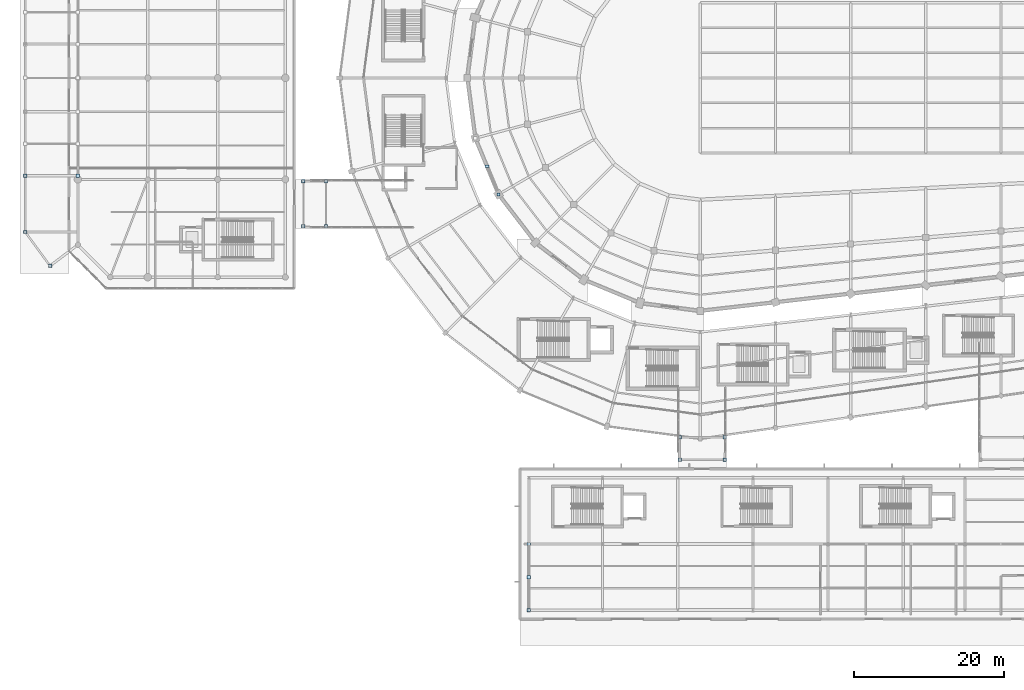
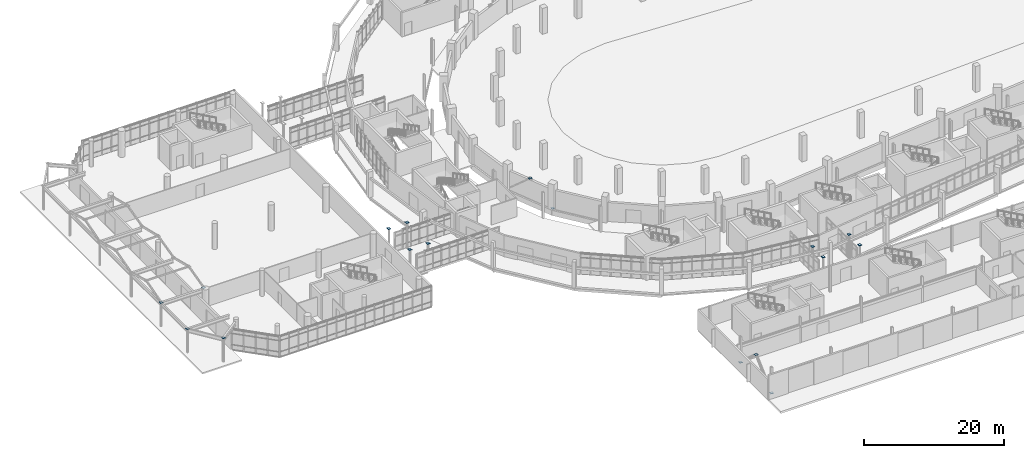
# One storey, part 95 of 122: 17 plates.
"""IFC4 building model written with IfcOpenShell, lengths in metres."""

from ifc_helpers import new_model, si_unit, direction, frame, origin, origin_2d, place, context, subcontext, project, spatial, rectangle, extrude, material, layer, layer_set, type_object, element, save


model = new_model("IFC4")

# Units and contexts
model_context = context("Model", 3, precision=1e-05, world=origin(), true_north=direction((0.0, 1.0)))
body_context = subcontext(model_context, "Body", "Model", "MODEL_VIEW")
ifc_project = project(units=[si_unit("LENGTHUNIT", "METRE"), si_unit("AREAUNIT", "SQUARE_METRE"), si_unit("VOLUMEUNIT", "CUBIC_METRE"), si_unit("PLANEANGLEUNIT", "RADIAN"), si_unit("MASSUNIT", "GRAM", prefix="KILO")], contexts=[model_context])

# Site, building, storey
site_placement = place(None, origin())
site = spatial("IfcSite", under=ifc_project, at=site_placement, CompositionType="ELEMENT")
building_placement = place(site_placement, origin())
building = spatial("IfcBuilding", under=site, at=building_placement, Name="Sohan Crest Arena", CompositionType="ELEMENT")
storey_placement = place(building_placement, origin())
storey = spatial("IfcBuildingStorey", under=building, at=storey_placement, Name="L00", CompositionType="ELEMENT", Elevation=0.0)

# Plates
ifc_material = material(Name="Steel S355", Category="steel")
ifc_layer_1 = layer(ifc_material, 0.031982421875, Name="Steel S355")
ifc_layer_set_1 = layer_set([ifc_layer_1], Name="Steel S355")
plate_type_1 = type_object("IfcPlateType", Name="STR-PL-BP01", PredefinedType="USERDEFINED", material=ifc_layer_set_1)
for number, where, z_axis, x_axis, name in (
    (1, (8.199951171875, 65.0, 4.12744140625), (0.0, 0.0, 1.0), (1.0, 0.0, 0.0), "Hollow section end cap plate ECP-0002"),
    (2, (11.5, 53.0, 4.12744140625), (0.0, 0.0, 1.0), (1.0, 0.0, 0.0), "Hollow section end cap plate ECP-0010"),
    (3, (8.199951171875, 57.5, 4.12744140625), (0.0, 0.0, 1.0), (1.0, 0.0, 0.0), "Hollow section end cap plate ECP-0014"),
    (4, (45.199951171875, 58.25, 4.487548828125), (0.0, 0.0, 1.0), (1.0, 0.0, 0.0), "Hollow section end cap plate ECP-0018"),
    (5, (48.199951171875, 58.25, 4.487548828125), (0.0, 0.0, 1.0), (1.0, 0.0, 0.0), "Hollow section end cap plate ECP-0023"),
    (6, (45.199951171875, 64.25, 4.487548828125), (0.0, 0.0, 1.0), (1.0, 0.0, 0.0), "Hollow section end cap plate ECP-0028"),
    (7, (48.199951171875, 64.25, 4.487548828125), (0.0, 0.0, 1.0), (1.0, 0.0, 0.0), "Hollow section end cap plate ECP-0033"),
    (8, (95.25, 27.199951171875, 4.487548828125), (0.0, 0.0, 1.0), (1.0, 0.0, 0.0), "Hollow section end cap plate ECP-0082"),
    (9, (95.25, 30.199951171875, 4.487548828125), (0.0, 0.0, 1.0), (1.0, 0.0, 0.0), "Hollow section end cap plate ECP-0086"),
    (10, (101.25, 27.199951171875, 4.487548828125), (0.0, 0.0, 1.0), (1.0, 0.0, 0.0), "Hollow section end cap plate ECP-0090"),
    (11, (101.25, 30.199951171875, 4.487548828125), (0.0, 0.0, 1.0), (1.0, 0.0, 0.0), "Hollow section end cap plate ECP-0094"),
    (12, (15.199951171875, 65.0, 4.267578125), (0.0, 0.0, 1.0), (1.0, 0.0, 0.0), "Hollow section end cap plate ECP-0204"),
    (13, (71.153076171875, 62.5, -0.012451171875), (0.0, 0.0, 1.0), (1.0, 0.0, 0.0), "Hollow section end cap plate ECP-0508"),
    (14, (75.199951171875, 7.199951171875, -0.012451171875), (0.0, 0.0, 1.0), (1.0, 0.0, 0.0), "Hollow section end cap plate ECP-0534"),
    (15, (75.199951171875, 11.60009765625, 3.987548828125), (0.0, 0.0, 1.0), (1.0, 0.0, 0.0), "Hollow section end cap plate ECP-0535"),
    (16, (75.199951171875, 16.0, -0.012451171875), (0.0, 0.0, 1.0), (1.0, 0.0, 0.0), "Hollow section end cap plate ECP-0536"),
):
    element("IfcPlate", number, at=place(storey_placement, frame(where, z_axis=z_axis, x_axis=x_axis)), inside=storey, type_object=plate_type_1, Name=name, ObjectType="BASE PLATE", PredefinedType="USERDEFINED", context=body_context, shape_type="SweptSolid", body=[
        extrude(rectangle(XDim=0.449951171875, YDim=0.449951171875, at=origin_2d()), origin(), (0.0, 0.0, 1.0), 0.02490234375),
    ])
ifc_layer_2 = layer(ifc_material, 0.02001953125, Name="Steel S355")
ifc_layer_set_2 = layer_set([ifc_layer_2], Name="Steel S355")
plate_type_2 = type_object("IfcPlateType", Name="STR-PL-SP01", PredefinedType="SHEET", material=ifc_layer_set_2)
plate_placement = place(storey_placement, frame((69.60498046875, 66.239013671875, 3.489990234375), z_axis=(0.0, 0.0, 1.0), x_axis=(1.0, 0.0, 0.0)))
element("IfcPlate", 17, at=plate_placement, inside=storey, type_object=plate_type_2, Name="Brace connection sheet plate SP-BR010", PredefinedType="SHEET", context=body_context, shape_type="SweptSolid", body=[
    extrude(rectangle(XDim=0.52001953125, YDim=0.340087890625, at=origin_2d()), origin(), (0.0, 0.0, 1.0), 0.02001953125),
])

save(model, "model.ifc")
